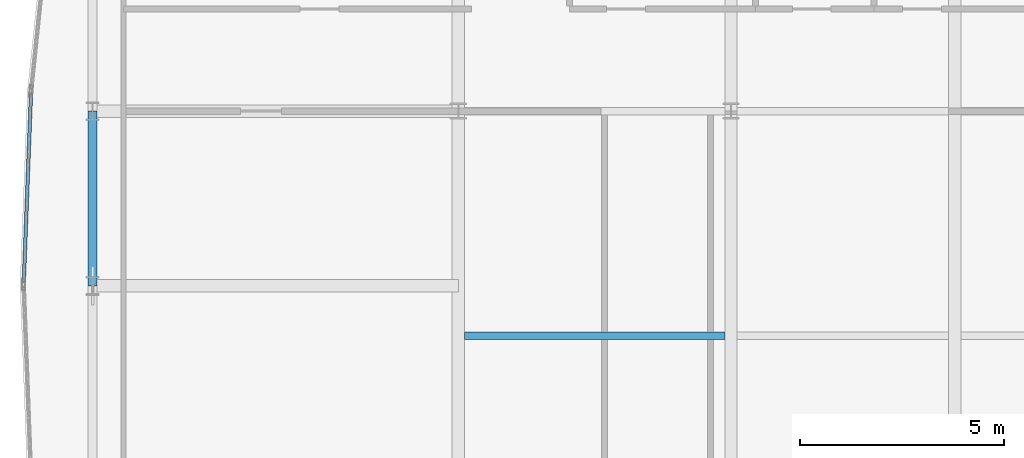
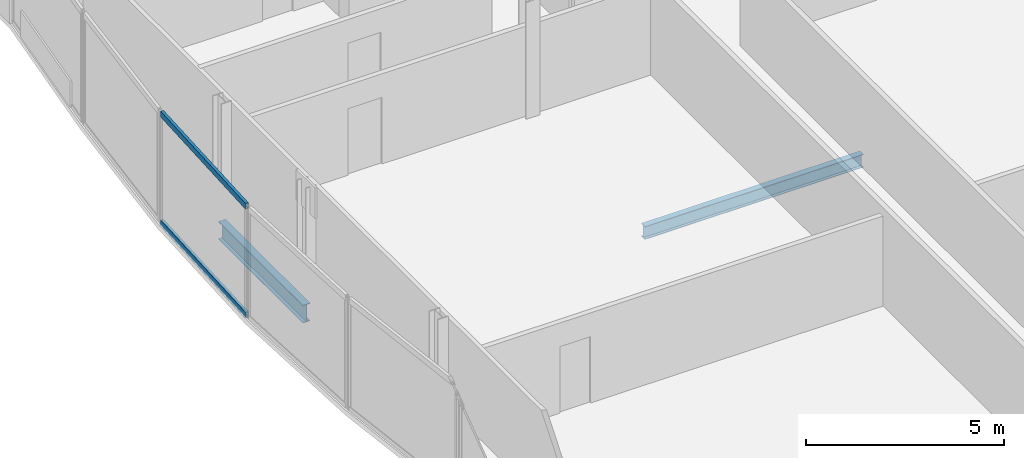
# One storey, part 11 of 30: 2 beams, 2 members, 1 element without a shape of its own.
"""IFC4 building model written with IfcOpenShell, lengths in metres."""

from ifc_helpers import new_model, si_unit, direction, frame, origin, origin_2d, place, context, subcontext, project, spatial, hollow_rectangle, i_section, extrude, material, material_profile, profile_set, type_object, element, aggregate, save


model = new_model("IFC4")

# Units and contexts
model_context = context("Model", 3, precision=1e-05, world=origin(), true_north=direction((0.0, 1.0)))
body_context = subcontext(model_context, "Body", "Model", "MODEL_VIEW")
ifc_project = project(units=[si_unit("LENGTHUNIT", "METRE"), si_unit("AREAUNIT", "SQUARE_METRE"), si_unit("VOLUMEUNIT", "CUBIC_METRE"), si_unit("PLANEANGLEUNIT", "RADIAN"), si_unit("MASSUNIT", "GRAM", prefix="KILO")], contexts=[model_context])

# Site, building, storey
site_placement = place(None, origin())
site = spatial("IfcSite", under=ifc_project, at=site_placement, CompositionType="ELEMENT")
building_placement = place(site_placement, origin())
building = spatial("IfcBuilding", under=site, at=building_placement, Name="Khoronbel Lancet Exchange", CompositionType="ELEMENT")
storey_placement = place(building_placement, frame((0.0, 0.0, 280.60009765625)))
storey = spatial("IfcBuildingStorey", under=building, at=storey_placement, Name="L72", CompositionType="ELEMENT", Elevation=280.60009765625)

# Beams
ifc_material_1 = material(Name="Steel S355", Category="steel")
ifc_material_profile_1 = material_profile(ifc_material_1, i_section(OverallWidth=0.179931640625, OverallDepth=0.39990234375, WebThickness=0.008544921875, FlangeThickness=0.013427734375, at=origin_2d()), Name="IPE 400")
ifc_profile_set_1 = profile_set([ifc_material_profile_1], Name="Steel S355")
beam_type_1 = type_object("IfcBeamType", Name="BM-BJ5", PredefinedType="JOIST", material=ifc_profile_set_1)
beam_1_placement = place(storey_placement, frame((18.375, 30.199951171875, -0.360107421875), z_axis=(1.0, 0.0, 0.0), x_axis=(0.0, 1.0, 0.0)))
element("IfcBeam", 1, at=beam_1_placement, inside=storey, type_object=beam_type_1, Name="Level L72 secondary composite joist J11", PredefinedType="JOIST", context=body_context, shape_type="SweptSolid", body=[
    extrude(i_section(OverallWidth=0.179931640625, OverallDepth=0.39990234375, WebThickness=0.008544921875, FlangeThickness=0.013427734375, at=origin_2d()), origin(), (0.0, 0.0, 1.0), 6.375),
])
ifc_material_profile_2 = material_profile(ifc_material_1, i_section(OverallWidth=0.2099609375, OverallDepth=0.550048828125, WebThickness=0.010986328125, FlangeThickness=0.01708984375, at=origin_2d()), Name="IPE 550")
ifc_profile_set_2 = profile_set([ifc_material_profile_2], Name="Steel S355")
beam_type_2 = type_object("IfcBeamType", Name="BM-BSP3", PredefinedType="SPANDREL", material=ifc_profile_set_2)
beam_2_placement = place(storey_placement, frame((9.27001953125, 35.699951171875, -0.43505859375), z_axis=(0.0, -1.0, 0.0), x_axis=(1.0, 0.0, 0.0)))
element("IfcBeam", 2, at=beam_2_placement, inside=storey, type_object=beam_type_2, Name="Level L72 perimeter spandrel beam SP18", PredefinedType="SPANDREL", context=body_context, shape_type="SweptSolid", body=[
    extrude(i_section(OverallWidth=0.2099609375, OverallDepth=0.550048828125, WebThickness=0.010986328125, FlangeThickness=0.01708984375, at=origin_2d()), origin(), (0.0, 0.0, 1.0), 4.27490234375),
])

# Curtain wall, members
ifc_material_2 = material(Name="Low-E Solar Control Insulating Glass", Category="glass")
curtain_wall_type = type_object("IfcCurtainWallType", Name="CW-4", PredefinedType="NOTDEFINED", material=ifc_material_2)
curtain_wall_placement = place(storey_placement, origin())
curtain_wall = element("IfcCurtainWall", 3, at=curtain_wall_placement, inside=storey, type_object=curtain_wall_type, Name="Unitised curtain wall CW-L72-E07", PredefinedType="NOTDEFINED")
ifc_material_3 = material(Name="Bronze-Anodised Aluminium 6063-T6", Category="aluminium")
ifc_material_profile_3 = material_profile(ifc_material_3, hollow_rectangle(XDim=0.0849609375, YDim=0.179931640625, WallThickness=0.0048828125, at=origin_2d()), Name="ALU TRANSOM 85x180")
ifc_profile_set_3 = profile_set([ifc_material_profile_3], Name="Bronze-Anodised Aluminium 6063-T6")
member_type = type_object("IfcMemberType", Name="MEM-CWT1", PredefinedType="USERDEFINED", material=ifc_profile_set_3)
member_1_placement = place(storey_placement, frame((7.587646484375, 31.52490234375, 0.04248046875), z_axis=(0.03818429227, 0.999270713983, 0.0), x_axis=(-0.999270713983, 0.03818429227, 0.0)))
member_1 = element("IfcMember", 4, at=member_1_placement, type_object=member_type, Name="CW4 transom 1.1", ObjectType="TRANSOM", PredefinedType="USERDEFINED", context=body_context, shape_type="SweptSolid", body=[
    extrude(hollow_rectangle(XDim=0.0849609375, YDim=0.179931640625, WallThickness=0.0048828125, at=origin_2d()), origin(), (0.0, 0.0, 1.0), 4.59716796875),
])
member_2_placement = place(storey_placement, frame((7.587646484375, 31.52490234375, 3.3974609375), z_axis=(0.03818429227, 0.999270713983, 0.0), x_axis=(-0.999270713983, 0.03818429227, 0.0)))
member_2 = element("IfcMember", 5, at=member_2_placement, type_object=member_type, Name="CW4 transom 1.2", ObjectType="TRANSOM", PredefinedType="USERDEFINED", context=body_context, shape_type="SweptSolid", body=[
    extrude(hollow_rectangle(XDim=0.0849609375, YDim=0.179931640625, WallThickness=0.0048828125, at=origin_2d()), origin(), (0.0, 0.0, 1.0), 4.59716796875),
])
aggregate(curtain_wall, [member_1, member_2])

save(model, "model.ifc")
